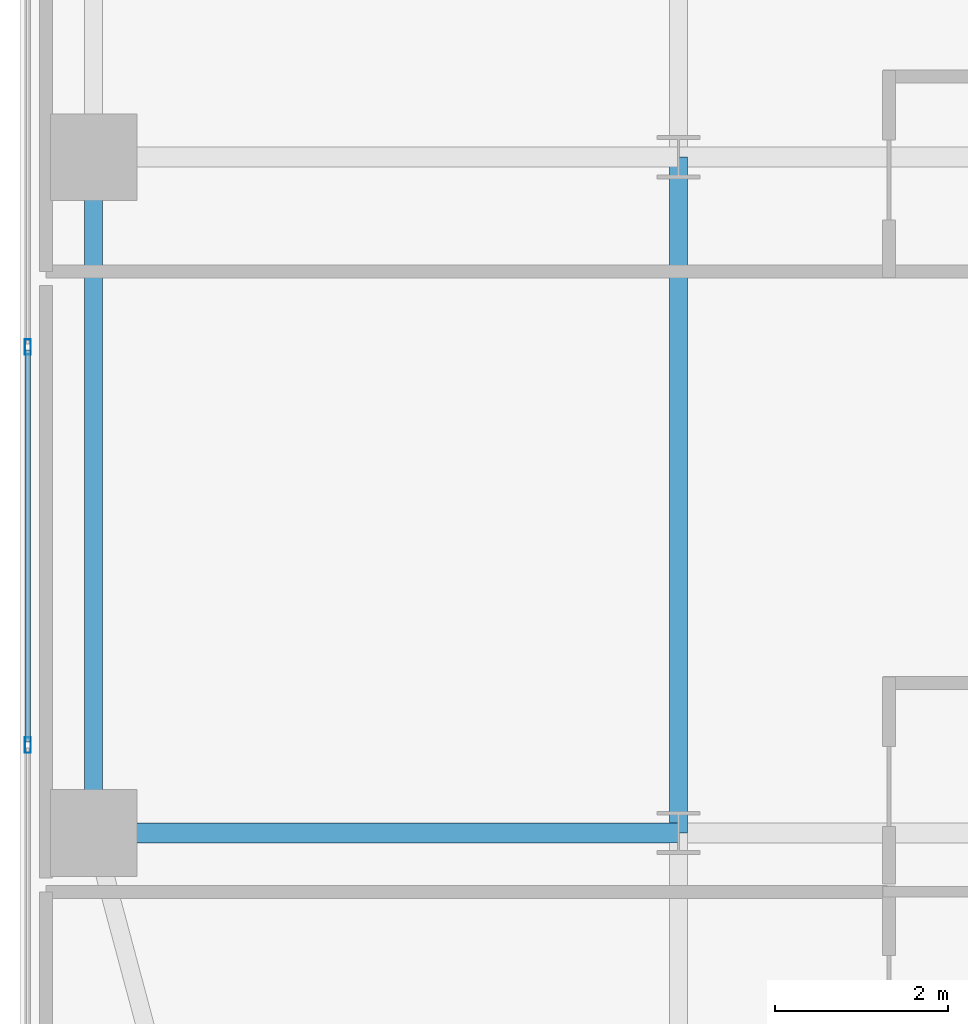
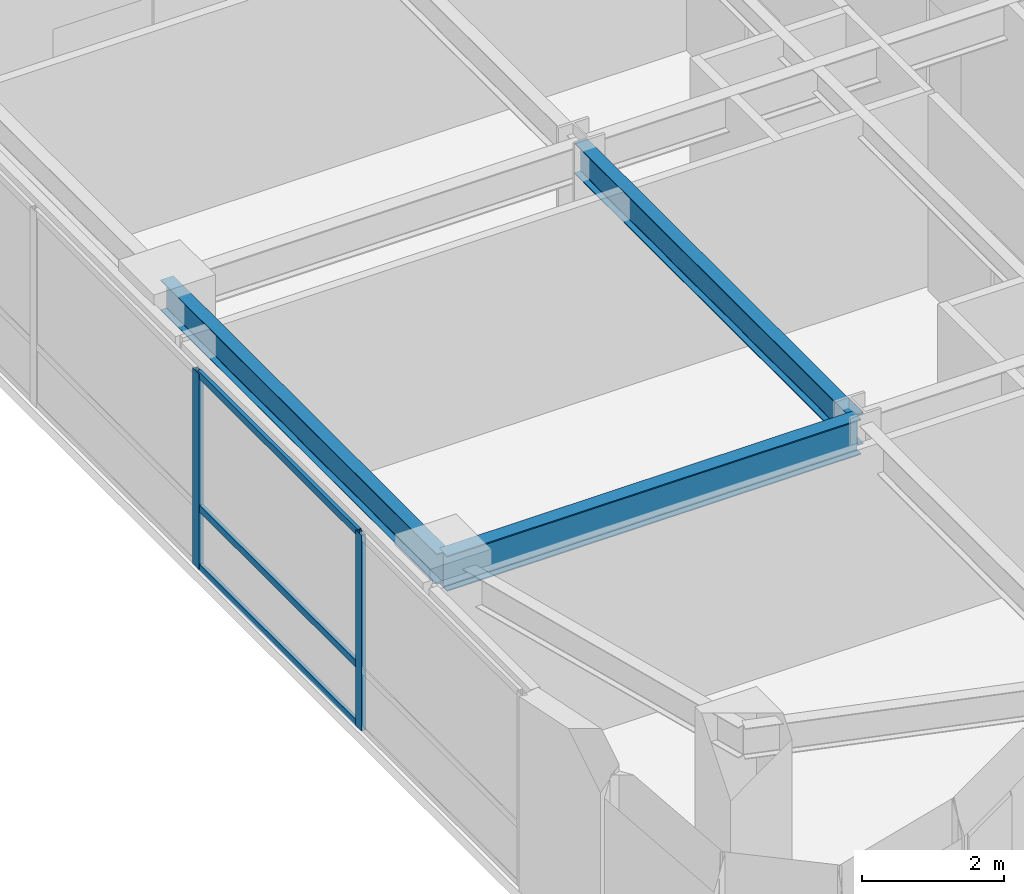
# One storey, part 4 of 37: 5 members, 3 beams, 1 element without a shape of its own.
"""IFC4 building model written with IfcOpenShell, lengths in metres."""

from ifc_helpers import new_model, si_unit, direction, frame, origin, origin_2d, place, context, subcontext, project, spatial, hollow_rectangle, i_section, extrude, source, transform, mapped, material, layer, layer_set, material_profile, profile_set, type_object, type_shapes, element, aggregate, save


model = new_model("IFC4")

# Units and contexts
model_context = context("Model", 3, precision=1e-05, world=origin(), true_north=direction((0.0, 1.0)))
body_context = subcontext(model_context, "Body", "Model", "MODEL_VIEW")
ifc_project = project(units=[si_unit("LENGTHUNIT", "METRE"), si_unit("AREAUNIT", "SQUARE_METRE"), si_unit("VOLUMEUNIT", "CUBIC_METRE"), si_unit("PLANEANGLEUNIT", "RADIAN"), si_unit("MASSUNIT", "GRAM", prefix="KILO")], contexts=[model_context])

# Site, building, storey
site_placement = place(None, origin())
site = spatial("IfcSite", under=ifc_project, at=site_placement, CompositionType="ELEMENT")
building_placement = place(site_placement, origin())
building = spatial("IfcBuilding", under=site, at=building_placement, Name="Tolvann Quenvar Hotel", CompositionType="ELEMENT")
storey_placement = place(building_placement, frame((0.0, 0.0, 53.300048828125)))
storey = spatial("IfcBuildingStorey", under=building, at=storey_placement, Name="L12", CompositionType="ELEMENT", Elevation=53.300048828125)

# Beams
ifc_material_1 = material(Name="Steel Grade 350", Category="steel")
ifc_material_profile_1 = material_profile(ifc_material_1, i_section(OverallWidth=0.22900390625, OverallDepth=0.612060546875, WebThickness=0.011962890625, FlangeThickness=0.01953125, FilletRadius=0.013916015625, at=origin_2d()), Name="610UB125")
ifc_profile_set_1 = profile_set([ifc_material_profile_1], Name="Steel Grade 350")
beam_type_1 = type_object("IfcBeamType", Name="BM_GIRD_610UB125", PredefinedType="BEAM", material=ifc_profile_set_1)
shared_shape_1 = source(origin(), body_context, "Body", "SweptSolid", [
    extrude(i_section(OverallWidth=0.22900390625, OverallDepth=0.612060546875, WebThickness=0.011962890625, FlangeThickness=0.01953125, FilletRadius=0.013916015625, at=origin_2d()), origin(), (0.0, 0.0, 1.0), 6.75),
])
type_shapes(beam_type_1, [shared_shape_1])
beam_1_placement = place(storey_placement, frame((0.85009765625, 8.199951171875, 3.06396484375), z_axis=(1.0, 0.0, 0.0), x_axis=(0.0, 1.0, 0.0)))
element("IfcBeam", 1, at=beam_1_placement, inside=storey, type_object=beam_type_1, Name="BM-L12-EW-3-B3-C3", PredefinedType="BEAM", context=body_context, shape_type="MappedRepresentation", body=[
    mapped(shared_shape_1, transform((0.0, 0.0, 0.0), x_axis=(1.0, 0.0, 0.0), y_axis=(0.0, 1.0, 0.0), z_axis=(0.0, 0.0, 1.0), scale=1.0)),
])
ifc_material_profile_2 = material_profile(ifc_material_1, i_section(OverallWidth=0.208984375, OverallDepth=0.528076171875, WebThickness=0.009521484375, FlangeThickness=0.01318359375, FilletRadius=0.013916015625, at=origin_2d()), Name="530UB82")
ifc_profile_set_2 = profile_set([ifc_material_profile_2], Name="Steel Grade 350")
beam_type_2 = type_object("IfcBeamType", Name="BM_SPAND_530UB82", PredefinedType="SPANDREL", material=ifc_profile_set_2)
shared_shape_2 = source(origin(), body_context, "Body", "SweptSolid", [
    extrude(i_section(OverallWidth=0.208984375, OverallDepth=0.528076171875, WebThickness=0.009521484375, FlangeThickness=0.01318359375, FilletRadius=0.013916015625, at=origin_2d()), origin(), (0.0, 0.0, 1.0), 7.800048828125),
])
type_shapes(beam_type_2, [shared_shape_2])
beam_2_placement = place(storey_placement, frame((0.85009765625, 8.199951171875, 3.10595703125), z_axis=(0.0, 1.0, 0.0), x_axis=(-1.0, 0.0, 0.0)))
element("IfcBeam", 2, at=beam_2_placement, inside=storey, type_object=beam_type_2, Name="BM-L12-NS-B3-B4", PredefinedType="SPANDREL", context=body_context, shape_type="MappedRepresentation", body=[
    mapped(shared_shape_2, transform((0.0, 0.0, 0.0), x_axis=(1.0, 0.0, 0.0), y_axis=(0.0, 1.0, 0.0), z_axis=(0.0, 0.0, 1.0), scale=1.0)),
])
ifc_material_profile_3 = material_profile(ifc_material_1, i_section(OverallWidth=0.208984375, OverallDepth=0.532958984375, WebThickness=0.01025390625, FlangeThickness=0.015625, FilletRadius=0.013916015625, at=origin_2d()), Name="530UB92")
ifc_profile_set_3 = profile_set([ifc_material_profile_3], Name="Steel Grade 350")
beam_type_3 = type_object("IfcBeamType", Name="BM_GIRD_530UB92", PredefinedType="BEAM", material=ifc_profile_set_3)
shared_shape_3 = source(origin(), body_context, "Body", "SweptSolid", [
    extrude(i_section(OverallWidth=0.208984375, OverallDepth=0.532958984375, WebThickness=0.01025390625, FlangeThickness=0.015625, FilletRadius=0.013916015625, at=origin_2d()), origin(), (0.0, 0.0, 1.0), 7.800048828125),
])
type_shapes(beam_type_3, [shared_shape_3])
beam_3_placement = place(storey_placement, frame((7.60009765625, 8.199951171875, 3.103515625), z_axis=(0.0, 1.0, 0.0), x_axis=(-1.0, 0.0, 0.0)))
element("IfcBeam", 3, at=beam_3_placement, inside=storey, type_object=beam_type_3, Name="BM-L12-NS-C3-C4", PredefinedType="BEAM", context=body_context, shape_type="MappedRepresentation", body=[
    mapped(shared_shape_3, transform((0.0, 0.0, 0.0), x_axis=(1.0, 0.0, 0.0), y_axis=(0.0, 1.0, 0.0), z_axis=(0.0, 0.0, 1.0), scale=1.0)),
])

# Curtain wall, members
ifc_material_2 = material(Name="Thermally broken anodised architectural aluminium 6063-T6 and laminated low-E glass", Category="aluminium")
ifc_layer = layer(ifc_material_2, 0.179931640625)
ifc_layer_set = layer_set([ifc_layer], Name="Thermally broken anodised architectural aluminium 6063-T6 and laminated low-E glass")
curtain_wall_type = type_object("IfcCurtainWallType", Name="CW_SYS_BAND_04", PredefinedType="USERDEFINED", material=ifc_layer_set)
curtain_wall_placement = place(storey_placement, origin())
curtain_wall = element("IfcCurtainWall", 4, at=curtain_wall_placement, inside=storey, type_object=curtain_wall_type, Name="Curtain Wall CW-BAND-04 (CWR-L12-E23)", ObjectType="UNITISED CURTAIN WALL", PredefinedType="USERDEFINED")
ifc_material_3 = material(Name="Anodised architectural aluminium 6063-T6 framing", Category="aluminium")
ifc_material_profile_4 = material_profile(ifc_material_3, hollow_rectangle(XDim=0.070068359375, YDim=0.179931640625, WallThickness=0.00390625, at=origin_2d()), Name="180x70x4RHS")
ifc_profile_set_4 = profile_set([ifc_material_profile_4], Name="Anodised architectural aluminium 6063-T6 framing")
member_type_1 = type_object("IfcMemberType", Name="CW_MULL_180x70", PredefinedType="MULLION", material=ifc_profile_set_4)
shared_shape_4 = source(origin(), body_context, "Body", "SweptSolid", [
    extrude(hollow_rectangle(XDim=0.070068359375, YDim=0.179931640625, WallThickness=0.00390625, at=origin_2d()), origin(), (0.0, 0.0, 1.0), 3.369873046875),
])
type_shapes(member_type_1, [shared_shape_4])
member_1_placement = place(storey_placement, frame((0.090087890625, 13.80859375, 0.0), z_axis=(0.0, 0.0, 1.0), x_axis=(1.0, 0.0, 0.0)))
member_1 = element("IfcMember", 5, at=member_1_placement, type_object=member_type_1, Name="CW-BAND-04 mullion 7", PredefinedType="MULLION", context=body_context, shape_type="MappedRepresentation", body=[
    mapped(shared_shape_4, transform((0.0, 0.0, 0.0), x_axis=(1.0, 0.0, 0.0), y_axis=(0.0, 1.0, 0.0), z_axis=(0.0, 0.0, 1.0), scale=1.0)),
])
member_2_placement = place(storey_placement, frame((0.090087890625, 9.212890625, 0.0), z_axis=(0.0, 0.0, 1.0), x_axis=(1.0, 0.0, 0.0)))
member_2 = element("IfcMember", 6, at=member_2_placement, type_object=member_type_1, Name="CW-BAND-04 mullion 8", PredefinedType="MULLION", context=body_context, shape_type="MappedRepresentation", body=[
    mapped(shared_shape_4, transform((0.0, 0.0, 0.0), x_axis=(1.0, 0.0, 0.0), y_axis=(0.0, 1.0, 0.0), z_axis=(0.0, 0.0, 1.0), scale=1.0)),
])
ifc_material_profile_5 = material_profile(ifc_material_3, hollow_rectangle(XDim=0.06005859375, YDim=0.1201171875, WallThickness=0.00341796875, at=origin_2d()), Name="120x60x3.5RHS")
ifc_profile_set_5 = profile_set([ifc_material_profile_5], Name="Anodised architectural aluminium 6063-T6 framing")
member_type_2 = type_object("IfcMemberType", Name="CW_TRAN_120x60", PredefinedType="USERDEFINED", material=ifc_profile_set_5)
shared_shape_5 = source(origin(), body_context, "Body", "SweptSolid", [
    extrude(hollow_rectangle(XDim=0.06005859375, YDim=0.1201171875, WallThickness=0.00341796875, at=origin_2d()), origin(), (0.0, 0.0, 1.0), 4.52587890625),
])
type_shapes(member_type_2, [shared_shape_5])
member_3_placement = place(storey_placement, frame((0.090087890625, 13.773681640625, 0.030029296875), z_axis=(0.0, -1.0, 0.0), x_axis=(1.0, 0.0, 0.0)))
member_3 = element("IfcMember", 7, at=member_3_placement, type_object=member_type_2, Name="CW-BAND-04 transom 7.1", ObjectType="TRANSOM", PredefinedType="USERDEFINED", context=body_context, shape_type="MappedRepresentation", body=[
    mapped(shared_shape_5, transform((0.0, 0.0, 0.0), x_axis=(1.0, 0.0, 0.0), y_axis=(0.0, 1.0, 0.0), z_axis=(0.0, 0.0, 1.0), scale=1.0)),
])
member_4_placement = place(storey_placement, frame((0.090087890625, 13.773681640625, 1.050048828125), z_axis=(0.0, -1.0, 0.0), x_axis=(1.0, 0.0, 0.0)))
member_4 = element("IfcMember", 8, at=member_4_placement, type_object=member_type_2, Name="CW-BAND-04 transom 7.2", ObjectType="TRANSOM", PredefinedType="USERDEFINED", context=body_context, shape_type="MappedRepresentation", body=[
    mapped(shared_shape_5, transform((0.0, 0.0, 0.0), x_axis=(1.0, 0.0, 0.0), y_axis=(0.0, 1.0, 0.0), z_axis=(0.0, 0.0, 1.0), scale=1.0)),
])
member_5_placement = place(storey_placement, frame((0.090087890625, 13.773681640625, 3.33984375), z_axis=(0.0, -1.0, 0.0), x_axis=(1.0, 0.0, 0.0)))
member_5 = element("IfcMember", 9, at=member_5_placement, type_object=member_type_2, Name="CW-BAND-04 transom 7.3", ObjectType="TRANSOM", PredefinedType="USERDEFINED", context=body_context, shape_type="MappedRepresentation", body=[
    mapped(shared_shape_5, transform((0.0, 0.0, 0.0), x_axis=(1.0, 0.0, 0.0), y_axis=(0.0, 1.0, 0.0), z_axis=(0.0, 0.0, 1.0), scale=1.0)),
])
aggregate(curtain_wall, [member_1, member_2, member_3, member_4, member_5])

save(model, "model.ifc")
